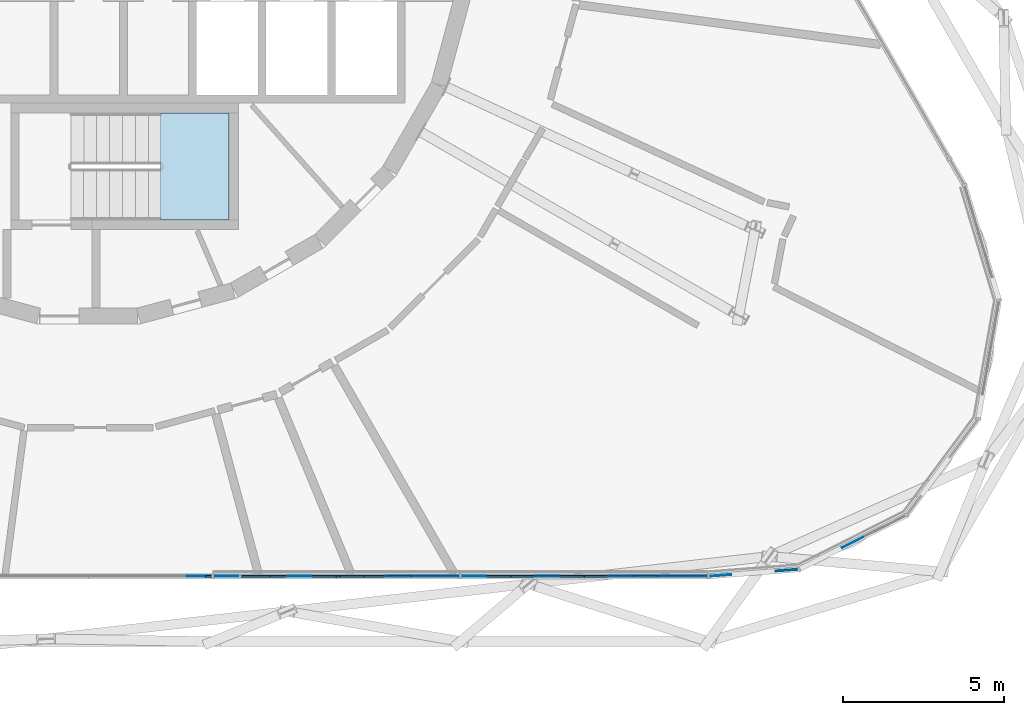
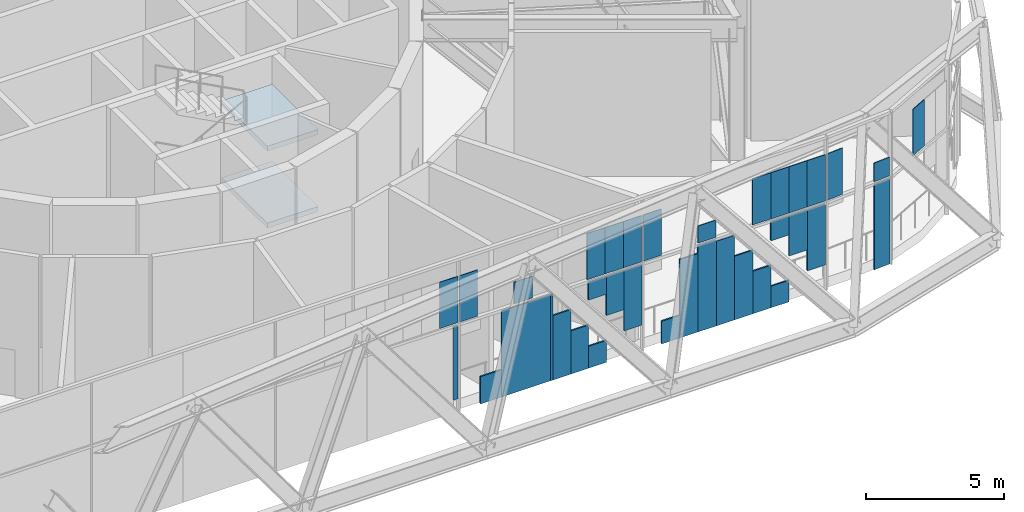
# One storey, part 15 of 29: 36 plates, 2 slabs, 3 elements without a shape of their own.
"""IFC4 building model written with IfcOpenShell, lengths in metres."""

from ifc_helpers import new_model, si_unit, direction, frame, origin, origin_2d, place, context, subcontext, project, spatial, polyline, rectangle, outline, extrude, material, layer, layer_set, type_object, element, aggregate, save


model = new_model("IFC4")

# Units and contexts
model_context = context("Model", 3, precision=1e-05, world=origin(), true_north=direction((0.0, 1.0)))
body_context = subcontext(model_context, "Body", "Model", "MODEL_VIEW")
ifc_project = project(units=[si_unit("LENGTHUNIT", "METRE"), si_unit("AREAUNIT", "SQUARE_METRE"), si_unit("VOLUMEUNIT", "CUBIC_METRE"), si_unit("PLANEANGLEUNIT", "RADIAN"), si_unit("MASSUNIT", "GRAM", prefix="KILO")], contexts=[model_context])

# Site, building, storey
site_placement = place(None, origin())
site = spatial("IfcSite", under=ifc_project, at=site_placement, CompositionType="ELEMENT")
building_placement = place(site_placement, origin())
building = spatial("IfcBuilding", under=site, at=building_placement, Name="Spindle Arch Residences", CompositionType="ELEMENT")
storey_placement = place(building_placement, frame((0.0, 0.0, 69.89990234375)))
storey = spatial("IfcBuildingStorey", under=building, at=storey_placement, Name="L16", CompositionType="ELEMENT", Elevation=69.89990234375)

# Stair, slabs
ifc_material_1 = material(Name="Concrete C50/60", Category="concrete")
stair_type = type_object("IfcStairType", Name="Exit stair 32 risers", PredefinedType="HALF_TURN_STAIR", material=ifc_material_1)
stair_placement = place(storey_placement, origin())
stair = element("IfcStair", 1, at=stair_placement, inside=storey, type_object=stair_type, Name="L16 Exit stair ST3", PredefinedType="HALF_TURN_STAIR")
ifc_material_2 = material(Name="Concrete C50/60", Category="concrete")
ifc_layer_1 = layer(ifc_material_2, 0.219970703125)
ifc_layer_set_1 = layer_set([ifc_layer_1], Name="Exit stair landing 220")
slab_type = type_object("IfcSlabType", Name="Exit stair landing 220", PredefinedType="LANDING", material=ifc_layer_set_1)
slab_1_placement = place(storey_placement, frame((0.0, 0.0, 1.47998046875)))
slab_1 = element("IfcSlab", 2, at=slab_1_placement, type_object=slab_type, Name="ST3 landing 1", PredefinedType="LANDING", context=body_context, shape_type="SweptSolid", body=[
    extrude(outline(polyline([(2.22998046875, -8.669921875), (4.35009765625, -8.669921875), (4.35009765625, -5.35009765625), (2.22998046875, -5.35009765625), (2.22998046875, -8.669921875)])), origin(), (0.0, 0.0, 1.0), 0.22021484375),
])
slab_2_placement = place(storey_placement, frame((0.0, 0.0, 4.880126953125)))
slab_2 = element("IfcSlab", 3, at=slab_2_placement, type_object=slab_type, Name="ST3 landing 3", PredefinedType="LANDING", context=body_context, shape_type="SweptSolid", body=[
    extrude(outline(polyline([(2.22998046875, -8.669921875), (4.35009765625, -8.669921875), (4.35009765625, -5.35009765625), (2.22998046875, -5.35009765625), (2.22998046875, -8.669921875)])), origin(), (0.0, 0.0, 1.0), 0.219970703125),
])
aggregate(stair, [slab_1, slab_2])

# Curtain wall, plates
ifc_material_3 = material(Name="Aluminium bronze unitised frame with tinted glass", Category="aluminium")
ifc_layer_2 = layer(ifc_material_3, 0.159912109375)
ifc_layer_set_2 = layer_set([ifc_layer_2], Name="CW-E double-height winter garden wall")
curtain_wall_type = type_object("IfcCurtainWallType", Name="CW-E double-height winter garden wall", PredefinedType="NOTDEFINED", material=ifc_layer_set_2)
curtain_wall_1_placement = place(storey_placement, origin())
curtain_wall_1 = element("IfcCurtainWall", 4, at=curtain_wall_1_placement, inside=storey, type_object=curtain_wall_type, Name="CW-E L16 run 1", PredefinedType="NOTDEFINED")
ifc_material_4 = material(Name="Tinted laminated glass 28 mm", Category="glass")
ifc_layer_3 = layer(ifc_material_4, 0.028076171875)
ifc_layer_set_3 = layer_set([ifc_layer_3], Name="Tinted glass panel 28 mm")
plate_type_1 = type_object("IfcPlateType", Name="Tinted glass panel 28 mm", PredefinedType="CURTAIN_PANEL", material=ifc_layer_set_3)
plate_1_placement = place(storey_placement, frame((19.573486328125, -19.680908203125, 3.460205078125), z_axis=(0.0, 0.0, 1.0), x_axis=(0.997002907861, 0.077364085451, 0.0)))
plate_1 = element("IfcPlate", 5, at=plate_1_placement, type_object=plate_type_1, Name="CW-E panel 00b.1", PredefinedType="CURTAIN_PANEL", context=body_context, shape_type="SweptSolid", body=[
    extrude(rectangle(XDim=0.688720703125, YDim=0.028076171875, at=origin_2d()), origin(), (0.0, 0.0, 1.0), 2.0458984375),
])
plate_2_placement = place(storey_placement, frame((21.6337890625, -19.52099609375, 3.460205078125), z_axis=(0.0, 0.0, 1.0), x_axis=(0.997002907861, 0.077364085451, 0.0)))
plate_2 = element("IfcPlate", 6, at=plate_2_placement, type_object=plate_type_1, Name="CW-E panel 00b.2", PredefinedType="CURTAIN_PANEL", context=body_context, shape_type="SweptSolid", body=[
    extrude(rectangle(XDim=0.688720703125, YDim=0.028076171875, at=origin_2d()), origin(), (0.0, 0.0, 1.0), 0.8251953125),
])
plate_3_placement = place(storey_placement, frame((23.672119140625, -18.65576171875, 3.460205078125), z_axis=(0.0, 0.0, 1.0), x_axis=(0.893632642326, 0.448799176213, 0.0)))
plate_3 = element("IfcPlate", 7, at=plate_3_placement, type_object=plate_type_1, Name="CW-E panel 01b.1", PredefinedType="CURTAIN_PANEL", context=body_context, shape_type="SweptSolid", body=[
    extrude(rectangle(XDim=0.7333984375, YDim=0.028076171875, at=origin_2d()), origin(), (0.0, 0.0, 1.0), 2.0458984375),
])

curtain_wall_2_placement = place(storey_placement, origin())
curtain_wall_2 = element("IfcCurtainWall", 8, at=curtain_wall_2_placement, inside=storey, type_object=curtain_wall_type, Name="CW-E L16 run 6", PredefinedType="NOTDEFINED")
plate_4_placement = place(storey_placement, frame((3.428955078125, -19.7099609375, 3.460205078125), z_axis=(0.0, 0.0, 1.0), x_axis=(1.0, 0.0, 0.0)))
plate_4 = element("IfcPlate", 9, at=plate_4_placement, type_object=plate_type_1, Name="CW-E panel 23Bb.5", PredefinedType="CURTAIN_PANEL", context=body_context, shape_type="SweptSolid", body=[
    extrude(rectangle(XDim=0.761962890625, YDim=0.028076171875, at=origin_2d()), origin(), (0.0, 0.0, 1.0), 2.0458984375),
])
plate_5_placement = place(storey_placement, frame((4.2509765625, -19.7099609375, 3.460205078125), z_axis=(0.0, 0.0, 1.0), x_axis=(1.0, 0.0, 0.0)))
plate_5 = element("IfcPlate", 10, at=plate_5_placement, type_object=plate_type_1, Name="CW-E panel 00Ab.1", PredefinedType="CURTAIN_PANEL", context=body_context, shape_type="SweptSolid", body=[
    extrude(rectangle(XDim=0.761962890625, YDim=0.028076171875, at=origin_2d()), origin(), (0.0, 0.0, 1.0), 2.0458984375),
])
plate_6_placement = place(storey_placement, frame((6.537109375, -19.7099609375, 3.460205078125), z_axis=(0.0, 0.0, 1.0), x_axis=(1.0, 0.0, 0.0)))
plate_6 = element("IfcPlate", 11, at=plate_6_placement, type_object=plate_type_1, Name="CW-E panel 00Ab.2", PredefinedType="CURTAIN_PANEL", context=body_context, shape_type="SweptSolid", body=[
    extrude(rectangle(XDim=0.761962890625, YDim=0.028076171875, at=origin_2d()), origin(), (0.0, 0.0, 1.0), 0.96484375),
])
plate_7_placement = place(storey_placement, frame((9.585205078125, -19.7099609375, 3.460205078125), z_axis=(0.0, 0.0, 1.0), x_axis=(1.0, 0.0, 0.0)))
plate_7 = element("IfcPlate", 12, at=plate_7_placement, type_object=plate_type_1, Name="CW-E panel 00Bb.1", PredefinedType="CURTAIN_PANEL", context=body_context, shape_type="SweptSolid", body=[
    extrude(rectangle(XDim=0.761962890625, YDim=0.028076171875, at=origin_2d()), origin(), (0.0, 0.0, 1.0), 2.0458984375),
])
plate_8_placement = place(storey_placement, frame((10.34716796875, -19.7099609375, 3.460205078125), z_axis=(0.0, 0.0, 1.0), x_axis=(1.0, 0.0, 0.0)))
plate_8 = element("IfcPlate", 13, at=plate_8_placement, type_object=plate_type_1, Name="CW-E panel 00Bb.2", PredefinedType="CURTAIN_PANEL", context=body_context, shape_type="SweptSolid", body=[
    extrude(rectangle(XDim=0.761962890625, YDim=0.028076171875, at=origin_2d()), origin(), (0.0, 0.0, 1.0), 2.0458984375),
])
plate_9_placement = place(storey_placement, frame((11.109130859375, -19.7099609375, 3.460205078125), z_axis=(0.0, 0.0, 1.0), x_axis=(1.0, 0.0, 0.0)))
plate_9 = element("IfcPlate", 14, at=plate_9_placement, type_object=plate_type_1, Name="CW-E panel 00Bb.3", PredefinedType="CURTAIN_PANEL", context=body_context, shape_type="SweptSolid", body=[
    extrude(rectangle(XDim=0.761962890625, YDim=0.028076171875, at=origin_2d()), origin(), (0.0, 0.0, 1.0), 2.0458984375),
])
plate_10_placement = place(storey_placement, frame((11.93115234375, -19.7099609375, 3.460205078125), z_axis=(0.0, 0.0, 1.0), x_axis=(1.0, 0.0, 0.0)))
plate_10 = element("IfcPlate", 15, at=plate_10_placement, type_object=plate_type_1, Name="CW-E panel 01Ab.1", PredefinedType="CURTAIN_PANEL", context=body_context, shape_type="SweptSolid", body=[
    extrude(rectangle(XDim=0.761962890625, YDim=0.028076171875, at=origin_2d()), origin(), (0.0, 0.0, 1.0), 2.0458984375),
])
plate_11_placement = place(storey_placement, frame((14.217041015625, -19.7099609375, 3.460205078125), z_axis=(0.0, 0.0, 1.0), x_axis=(1.0, 0.0, 0.0)))
plate_11 = element("IfcPlate", 16, at=plate_11_placement, type_object=plate_type_1, Name="CW-E panel 01Ab.2", PredefinedType="CURTAIN_PANEL", context=body_context, shape_type="SweptSolid", body=[
    extrude(rectangle(XDim=0.761962890625, YDim=0.028076171875, at=origin_2d()), origin(), (0.0, 0.0, 1.0), 0.75830078125),
])
plate_12_placement = place(storey_placement, frame((16.503173828125, -19.7099609375, 3.460205078125), z_axis=(0.0, 0.0, 1.0), x_axis=(1.0, 0.0, 0.0)))
plate_12 = element("IfcPlate", 17, at=plate_12_placement, type_object=plate_type_1, Name="CW-E panel 01Bb.1", PredefinedType="CURTAIN_PANEL", context=body_context, shape_type="SweptSolid", body=[
    extrude(rectangle(XDim=0.761962890625, YDim=0.028076171875, at=origin_2d()), origin(), (0.0, 0.0, 1.0), 2.0458984375),
])
plate_13_placement = place(storey_placement, frame((17.26513671875, -19.7099609375, 3.460205078125), z_axis=(0.0, 0.0, 1.0), x_axis=(1.0, 0.0, 0.0)))
plate_13 = element("IfcPlate", 18, at=plate_13_placement, type_object=plate_type_1, Name="CW-E panel 01Bb.2", PredefinedType="CURTAIN_PANEL", context=body_context, shape_type="SweptSolid", body=[
    extrude(rectangle(XDim=0.761962890625, YDim=0.028076171875, at=origin_2d()), origin(), (0.0, 0.0, 1.0), 2.0458984375),
])
plate_14_placement = place(storey_placement, frame((18.027099609375, -19.7099609375, 3.460205078125), z_axis=(0.0, 0.0, 1.0), x_axis=(1.0, 0.0, 0.0)))
plate_14 = element("IfcPlate", 19, at=plate_14_placement, type_object=plate_type_1, Name="CW-E panel 01Bb.3", PredefinedType="CURTAIN_PANEL", context=body_context, shape_type="SweptSolid", body=[
    extrude(rectangle(XDim=0.761962890625, YDim=0.028076171875, at=origin_2d()), origin(), (0.0, 0.0, 1.0), 2.0458984375),
])
plate_15_placement = place(storey_placement, frame((18.7890625, -19.7099609375, 3.460205078125), z_axis=(0.0, 0.0, 1.0), x_axis=(1.0, 0.0, 0.0)))
plate_15 = element("IfcPlate", 20, at=plate_15_placement, type_object=plate_type_1, Name="CW-E panel 01Bb.4", PredefinedType="CURTAIN_PANEL", context=body_context, shape_type="SweptSolid", body=[
    extrude(rectangle(XDim=0.761962890625, YDim=0.028076171875, at=origin_2d()), origin(), (0.0, 0.0, 1.0), 2.0458984375),
])

# Plate
ifc_material_5 = material(Name="Tinted double glazing over aluminium faced non-combustible spandrel zone (K0)", Category="aluminium")
ifc_layer_4 = layer(ifc_material_5, 0.06005859375)
ifc_layer_set_4 = layer_set([ifc_layer_4], Name="Unitised glass panel with E 60 spandrel zone")
plate_type_2 = type_object("IfcPlateType", Name="Unitised glass panel with E 60 spandrel zone", PredefinedType="CURTAIN_PANEL", material=ifc_layer_set_4)
plate_16_placement = place(storey_placement, frame((21.6337890625, -19.52099609375, -0.419921875), z_axis=(0.0, 0.0, 1.0), x_axis=(0.997002907861, 0.077364085451, 0.0)))
plate_16 = element("IfcPlate", 21, at=plate_16_placement, type_object=plate_type_2, Name="CW-E panel 00a.2", PredefinedType="CURTAIN_PANEL", context=body_context, shape_type="SweptSolid", body=[
    extrude(rectangle(XDim=0.688720703125, YDim=0.06005859375, at=origin_2d()), origin(), (0.0, 0.0, 1.0), 3.760009765625),
])

aggregate(curtain_wall_1, [plate_16, plate_1, plate_2, plate_3])

plate_17_placement = place(storey_placement, frame((3.714599609375, -19.7099609375, 0.11083984375), z_axis=(0.0, 0.0, 1.0), x_axis=(1.0, 0.0, 0.0)))
plate_17 = element("IfcPlate", 22, at=plate_17_placement, type_object=plate_type_2, Name="CW-E panel 23Ba.2", PredefinedType="CURTAIN_PANEL", context=body_context, shape_type="SweptSolid", body=[
    extrude(rectangle(XDim=0.190673828125, YDim=0.06005859375, at=origin_2d()), origin(), (0.0, 0.0, 1.0), 3.229248046875),
])

plate_18_placement = place(storey_placement, frame((5.1875, -19.7099609375, -0.44970703125), z_axis=(0.0, 0.0, 1.0), x_axis=(1.0, 0.0, 0.0)))
plate_18 = element("IfcPlate", 23, at=plate_18_placement, type_object=plate_type_2, Name="CW-E panel 00Aa.2", PredefinedType="CURTAIN_PANEL", context=body_context, shape_type="SweptSolid", body=[
    extrude(rectangle(XDim=0.87841796875, YDim=0.06005859375, at=origin_2d()), origin(), (0.0, 0.0, 1.0), 1.207763671875),
])

plate_19_placement = place(storey_placement, frame((6.6533203125, -19.7099609375, -0.449951171875), z_axis=(0.0, 0.0, 1.0), x_axis=(1.0, 0.0, 0.0)))
plate_19 = element("IfcPlate", 24, at=plate_19_placement, type_object=plate_type_2, Name="CW-E panel 00Aa.3", PredefinedType="CURTAIN_PANEL", context=body_context, shape_type="SweptSolid", body=[
    extrude(rectangle(XDim=2.05322265625, YDim=0.06005859375, at=origin_2d()), origin(), (0.0, 0.0, 1.0), 3.7900390625),
])

plate_20_placement = place(storey_placement, frame((7.727294921875, -19.7099609375, -0.449951171875), z_axis=(0.0, 0.0, 1.0), x_axis=(1.0, 0.0, 0.0)))
plate_20 = element("IfcPlate", 25, at=plate_20_placement, type_object=plate_type_2, Name="CW-E panel 00Ba.1", PredefinedType="CURTAIN_PANEL", context=body_context, shape_type="SweptSolid", body=[
    extrude(rectangle(XDim=0.09423828125, YDim=0.06005859375, at=origin_2d()), origin(), (0.0, 0.0, 1.0), 3.7900390625),
])

plate_21_placement = place(storey_placement, frame((8.14599609375, -19.7099609375, -0.44970703125), z_axis=(0.0, 0.0, 1.0), x_axis=(1.0, 0.0, 0.0)))
plate_21 = element("IfcPlate", 26, at=plate_21_placement, type_object=plate_type_2, Name="CW-E panel 00Ba.2", PredefinedType="CURTAIN_PANEL", context=body_context, shape_type="SweptSolid", body=[
    extrude(rectangle(XDim=0.7431640625, YDim=0.06005859375, at=origin_2d()), origin(), (0.0, 0.0, 1.0), 2.848388671875),
])

plate_22_placement = place(storey_placement, frame((8.88916015625, -19.7099609375, -0.44970703125), z_axis=(0.0, 0.0, 1.0), x_axis=(1.0, 0.0, 0.0)))
plate_22 = element("IfcPlate", 27, at=plate_22_placement, type_object=plate_type_2, Name="CW-E panel 00Ba.3", PredefinedType="CURTAIN_PANEL", context=body_context, shape_type="SweptSolid", body=[
    extrude(rectangle(XDim=0.7431640625, YDim=0.06005859375, at=origin_2d()), origin(), (0.0, 0.0, 1.0), 1.906982421875),
])

plate_23_placement = place(storey_placement, frame((9.63232421875, -19.7099609375, -0.449951171875), z_axis=(0.0, 0.0, 1.0), x_axis=(1.0, 0.0, 0.0)))
plate_23 = element("IfcPlate", 28, at=plate_23_placement, type_object=plate_type_2, Name="CW-E panel 00Ba.4", PredefinedType="CURTAIN_PANEL", context=body_context, shape_type="SweptSolid", body=[
    extrude(rectangle(XDim=0.7431640625, YDim=0.06005859375, at=origin_2d()), origin(), (0.0, 0.0, 1.0), 0.96533203125),
])

plate_24_placement = place(storey_placement, frame((9.63232421875, -19.7099609375, 2.554443359375), z_axis=(0.0, 0.0, 1.0), x_axis=(1.0, 0.0, 0.0)))
plate_24 = element("IfcPlate", 29, at=plate_24_placement, type_object=plate_type_2, Name="CW-E panel 00Ba.5", PredefinedType="CURTAIN_PANEL", context=body_context, shape_type="SweptSolid", body=[
    extrude(rectangle(XDim=0.7431640625, YDim=0.06005859375, at=origin_2d()), origin(), (0.0, 0.0, 1.0), 0.78564453125),
])

plate_25_placement = place(storey_placement, frame((10.37548828125, -19.7099609375, 1.613037109375), z_axis=(0.0, 0.0, 1.0), x_axis=(1.0, 0.0, 0.0)))
plate_25 = element("IfcPlate", 30, at=plate_25_placement, type_object=plate_type_2, Name="CW-E panel 00Ba.6", PredefinedType="CURTAIN_PANEL", context=body_context, shape_type="SweptSolid", body=[
    extrude(rectangle(XDim=0.7431640625, YDim=0.06005859375, at=origin_2d()), origin(), (0.0, 0.0, 1.0), 1.72705078125),
])

plate_26_placement = place(storey_placement, frame((11.11865234375, -19.7099609375, 0.67138671875), z_axis=(0.0, 0.0, 1.0), x_axis=(1.0, 0.0, 0.0)))
plate_26 = element("IfcPlate", 31, at=plate_26_placement, type_object=plate_type_2, Name="CW-E panel 00Ba.7", PredefinedType="CURTAIN_PANEL", context=body_context, shape_type="SweptSolid", body=[
    extrude(rectangle(XDim=0.7431640625, YDim=0.06005859375, at=origin_2d()), origin(), (0.0, 0.0, 1.0), 2.668701171875),
])

plate_27_placement = place(storey_placement, frame((12.693115234375, -19.7099609375, -0.449951171875), z_axis=(0.0, 0.0, 1.0), x_axis=(1.0, 0.0, 0.0)))
plate_27 = element("IfcPlate", 32, at=plate_27_placement, type_object=plate_type_2, Name="CW-E panel 01Aa.2", PredefinedType="CURTAIN_PANEL", context=body_context, shape_type="SweptSolid", body=[
    extrude(rectangle(XDim=0.761962890625, YDim=0.06005859375, at=origin_2d()), origin(), (0.0, 0.0, 1.0), 1.0029296875),
])

plate_28_placement = place(storey_placement, frame((13.455078125, -19.7099609375, -0.449951171875), z_axis=(0.0, 0.0, 1.0), x_axis=(1.0, 0.0, 0.0)))
plate_28 = element("IfcPlate", 33, at=plate_28_placement, type_object=plate_type_2, Name="CW-E panel 01Aa.3", PredefinedType="CURTAIN_PANEL", context=body_context, shape_type="SweptSolid", body=[
    extrude(rectangle(XDim=0.761962890625, YDim=0.06005859375, at=origin_2d()), origin(), (0.0, 0.0, 1.0), 3.46630859375),
])

plate_29_placement = place(storey_placement, frame((14.217041015625, -19.7099609375, -0.449951171875), z_axis=(0.0, 0.0, 1.0), x_axis=(1.0, 0.0, 0.0)))
plate_29 = element("IfcPlate", 34, at=plate_29_placement, type_object=plate_type_2, Name="CW-E panel 01Aa.4", PredefinedType="CURTAIN_PANEL", context=body_context, shape_type="SweptSolid", body=[
    extrude(rectangle(XDim=0.761962890625, YDim=0.06005859375, at=origin_2d()), origin(), (0.0, 0.0, 1.0), 3.7900390625),
])

plate_30_placement = place(storey_placement, frame((14.979248046875, -19.7099609375, -0.449951171875), z_axis=(0.0, 0.0, 1.0), x_axis=(1.0, 0.0, 0.0)))
plate_30 = element("IfcPlate", 35, at=plate_30_placement, type_object=plate_type_2, Name="CW-E panel 01Aa.5", PredefinedType="CURTAIN_PANEL", context=body_context, shape_type="SweptSolid", body=[
    extrude(rectangle(XDim=0.761962890625, YDim=0.06005859375, at=origin_2d()), origin(), (0.0, 0.0, 1.0), 3.7392578125),
])

plate_31_placement = place(storey_placement, frame((15.7412109375, -19.7099609375, -0.449951171875), z_axis=(0.0, 0.0, 1.0), x_axis=(1.0, 0.0, 0.0)))
plate_31 = element("IfcPlate", 36, at=plate_31_placement, type_object=plate_type_2, Name="CW-E panel 01Ba.1", PredefinedType="CURTAIN_PANEL", context=body_context, shape_type="SweptSolid", body=[
    extrude(rectangle(XDim=0.761962890625, YDim=0.06005859375, at=origin_2d()), origin(), (0.0, 0.0, 1.0), 2.81005859375),
])

plate_32_placement = place(storey_placement, frame((16.503173828125, -19.7099609375, -0.449951171875), z_axis=(0.0, 0.0, 1.0), x_axis=(1.0, 0.0, 0.0)))
plate_32 = element("IfcPlate", 37, at=plate_32_placement, type_object=plate_type_2, Name="CW-E panel 01Ba.2", PredefinedType="CURTAIN_PANEL", context=body_context, shape_type="SweptSolid", body=[
    extrude(rectangle(XDim=0.761962890625, YDim=0.06005859375, at=origin_2d()), origin(), (0.0, 0.0, 1.0), 1.880859375),
])

plate_33_placement = place(storey_placement, frame((17.26513671875, -19.7099609375, -0.449951171875), z_axis=(0.0, 0.0, 1.0), x_axis=(1.0, 0.0, 0.0)))
plate_33 = element("IfcPlate", 38, at=plate_33_placement, type_object=plate_type_2, Name="CW-E panel 01Ba.3", PredefinedType="CURTAIN_PANEL", context=body_context, shape_type="SweptSolid", body=[
    extrude(rectangle(XDim=0.761962890625, YDim=0.06005859375, at=origin_2d()), origin(), (0.0, 0.0, 1.0), 0.95166015625),
])

plate_34_placement = place(storey_placement, frame((17.26513671875, -19.7099609375, 2.50341796875), z_axis=(0.0, 0.0, 1.0), x_axis=(1.0, 0.0, 0.0)))
plate_34 = element("IfcPlate", 39, at=plate_34_placement, type_object=plate_type_2, Name="CW-E panel 01Ba.4", PredefinedType="CURTAIN_PANEL", context=body_context, shape_type="SweptSolid", body=[
    extrude(rectangle(XDim=0.761962890625, YDim=0.06005859375, at=origin_2d()), origin(), (0.0, 0.0, 1.0), 0.836669921875),
])

plate_35_placement = place(storey_placement, frame((18.027099609375, -19.7099609375, 1.57421875), z_axis=(0.0, 0.0, 1.0), x_axis=(1.0, 0.0, 0.0)))
plate_35 = element("IfcPlate", 40, at=plate_35_placement, type_object=plate_type_2, Name="CW-E panel 01Ba.5", PredefinedType="CURTAIN_PANEL", context=body_context, shape_type="SweptSolid", body=[
    extrude(rectangle(XDim=0.761962890625, YDim=0.06005859375, at=origin_2d()), origin(), (0.0, 0.0, 1.0), 1.765869140625),
])

plate_36_placement = place(storey_placement, frame((18.7890625, -19.7099609375, 0.64501953125), z_axis=(0.0, 0.0, 1.0), x_axis=(1.0, 0.0, 0.0)))
plate_36 = element("IfcPlate", 41, at=plate_36_placement, type_object=plate_type_2, Name="CW-E panel 01Ba.6", PredefinedType="CURTAIN_PANEL", context=body_context, shape_type="SweptSolid", body=[
    extrude(rectangle(XDim=0.761962890625, YDim=0.06005859375, at=origin_2d()), origin(), (0.0, 0.0, 1.0), 2.695068359375),
])

aggregate(curtain_wall_2, [plate_17, plate_4, plate_18, plate_19, plate_5, plate_6, plate_20, plate_21, plate_22, plate_23, plate_24, plate_25, plate_26, plate_7, plate_8, plate_9, plate_27, plate_28, plate_29, plate_30, plate_10, plate_11, plate_31, plate_32, plate_33, plate_34, plate_35, plate_36, plate_12, plate_13, plate_14, plate_15])

save(model, "model.ifc")
